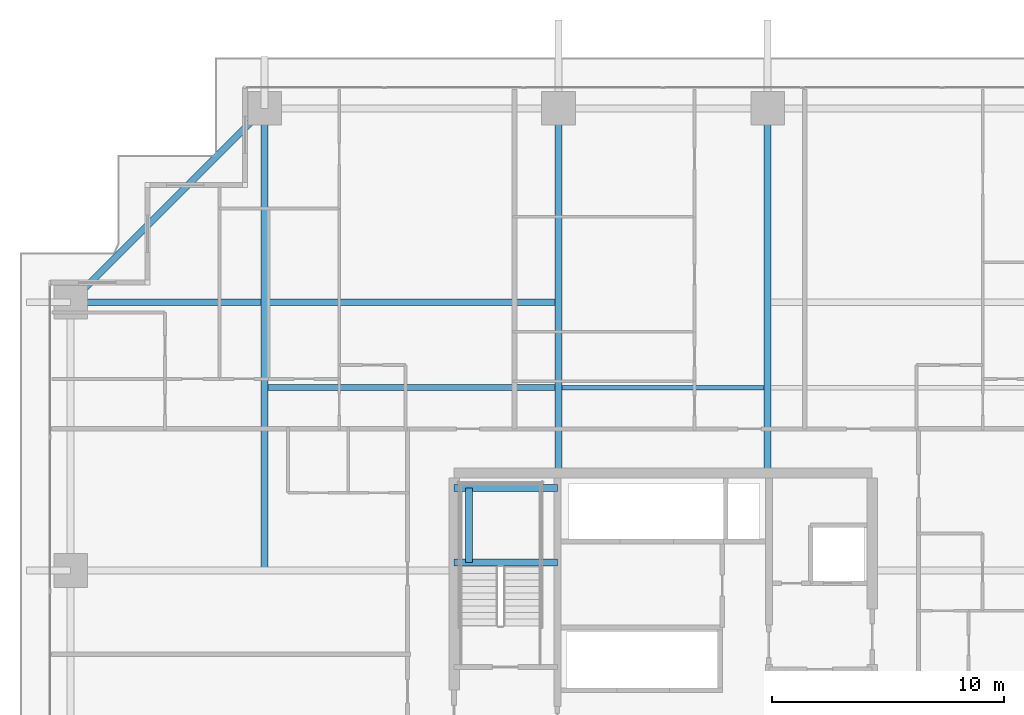
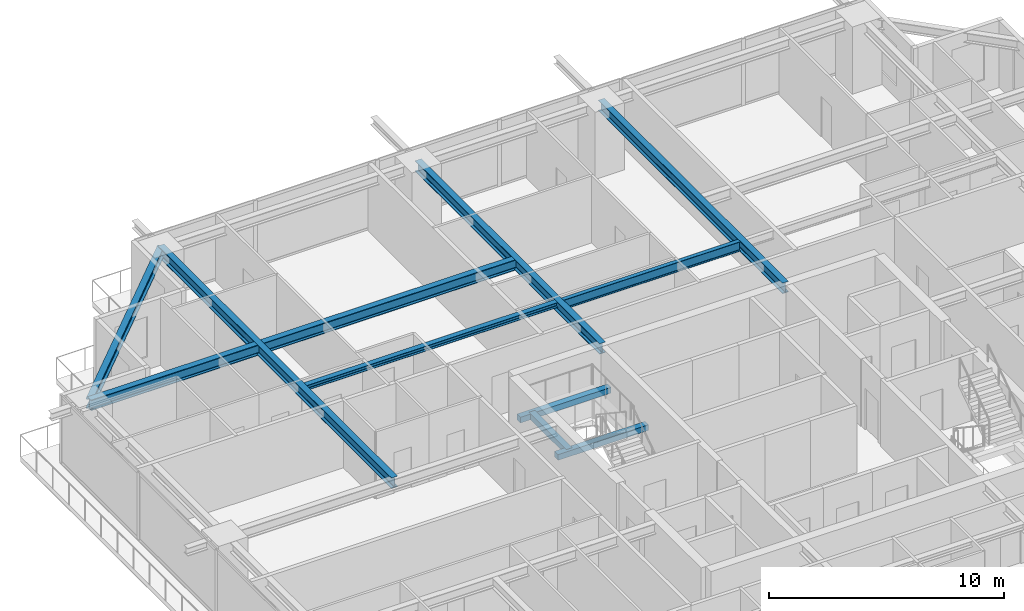
# One storey, part 19 of 39: 10 beams.
"""IFC4 building model written with IfcOpenShell, lengths in metres."""

from ifc_helpers import new_model, si_unit, direction, frame, origin, origin_2d, place, context, subcontext, project, spatial, rectangle, i_section, extrude, source, transform, mapped, material, material_profile, profile_set, type_object, element, save


model = new_model("IFC4")

# Units and contexts
model_context = context("Model", 3, precision=1e-05, world=origin(), true_north=direction((0.0, 1.0)))
body_context = subcontext(model_context, "Body", "Model", "MODEL_VIEW")
ifc_project = project(units=[si_unit("LENGTHUNIT", "METRE"), si_unit("AREAUNIT", "SQUARE_METRE"), si_unit("VOLUMEUNIT", "CUBIC_METRE"), si_unit("PLANEANGLEUNIT", "RADIAN"), si_unit("MASSUNIT", "GRAM", prefix="KILO")], contexts=[model_context])

# Site, building, storey
site_placement = place(None, origin())
site = spatial("IfcSite", under=ifc_project, at=site_placement, CompositionType="ELEMENT")
building_placement = place(site_placement, origin())
building = spatial("IfcBuilding", under=site, at=building_placement, Name="Serunith Strait Residences", CompositionType="ELEMENT")
storey_placement = place(building_placement, frame((0.0, 0.0, 49.199951171875)))
storey = spatial("IfcBuildingStorey", under=building, at=storey_placement, Name="L11", CompositionType="ELEMENT", Elevation=49.199951171875)

# Beams
ifc_material_1 = material(Name="Steel S355J2", Category="steel")
ifc_material_profile_1 = material_profile(ifc_material_1, i_section(OverallWidth=0.300048828125, OverallDepth=0.550048828125, WebThickness=0.014892578125, FlangeThickness=0.029052734375, FilletRadius=0.027099609375, at=origin_2d()), Name="HEB 550")
ifc_profile_set_1 = profile_set([ifc_material_profile_1], Name="Steel S355J2")
beam_type_1 = type_object("IfcBeamType", Name="BM-HEB550", PredefinedType="BEAM", material=ifc_profile_set_1)
shared_shape_1 = source(origin(), body_context, "Body", "SweptSolid", [
    extrude(i_section(OverallWidth=0.300048828125, OverallDepth=0.550048828125, WebThickness=0.014892578125, FlangeThickness=0.029052734375, FilletRadius=0.027099609375, at=origin_2d()), origin(), (0.0, 0.0, 1.0), 15.699951171875),
])
for number, where, z_axis, x_axis, name in (
    (1, (27.89990234375, 33.60009765625, 3.212158203125), (0.0, 1.0, 0.0), (-1.0, 0.0, 0.0), "L11 Primary Floor Girder TC-N2"),
    (2, (36.89990234375, 33.60009765625, 3.212158203125), (0.0, 1.0, 0.0), (-1.0, 0.0, 0.0), "L11 Primary Floor Girder TC-N3"),
):
    element("IfcBeam", number, at=place(storey_placement, frame(where, z_axis=z_axis, x_axis=x_axis)), inside=storey, type_object=beam_type_1, Name=name, PredefinedType="BEAM", context=body_context, shape_type="MappedRepresentation", body=[
        mapped(shared_shape_1, transform((0.0, 0.0, 0.0), scale=1.0)),
    ])
shared_shape_2 = source(origin(), body_context, "Body", "SweptSolid", [
    extrude(i_section(OverallWidth=0.300048828125, OverallDepth=0.550048828125, WebThickness=0.014892578125, FlangeThickness=0.029052734375, FilletRadius=0.027099609375, at=origin_2d()), origin(), (0.0, 0.0, 1.0), 19.900146484375),
])
beam_1_placement = place(storey_placement, frame((15.25, 29.39990234375, 3.212158203125), z_axis=(0.0, 1.0, 0.0), x_axis=(-1.0, 0.0, 0.0)))
element("IfcBeam", 3, at=beam_1_placement, inside=storey, type_object=beam_type_1, Name="L11 Orthogonal Corner Girder TC-N1", PredefinedType="BEAM", context=body_context, shape_type="MappedRepresentation", body=[
    mapped(shared_shape_2, transform((0.0, 0.0, 0.0), scale=1.0)),
])
shared_shape_3 = source(origin(), body_context, "Body", "SweptSolid", [
    extrude(i_section(OverallWidth=0.300048828125, OverallDepth=0.550048828125, WebThickness=0.014892578125, FlangeThickness=0.029052734375, FilletRadius=0.027099609375, at=origin_2d()), origin(), (0.0, 0.0, 1.0), 21.0),
])
beam_2_placement = place(storey_placement, frame((27.89990234375, 40.949951171875, 3.212158203125), z_axis=(-1.0, 0.0, 0.0), x_axis=(0.0, -1.0, 0.0)))
element("IfcBeam", 4, at=beam_2_placement, inside=storey, type_object=beam_type_1, Name="L11 Orthogonal Corner Girder TC-W4", PredefinedType="BEAM", context=body_context, shape_type="MappedRepresentation", body=[
    mapped(shared_shape_3, transform((0.0, 0.0, 0.0), scale=1.0)),
])
ifc_material_profile_2 = material_profile(ifc_material_1, i_section(OverallWidth=0.300048828125, OverallDepth=0.5, WebThickness=0.014404296875, FlangeThickness=0.028076171875, FilletRadius=0.027099609375, at=origin_2d()), Name="HEB 500")
ifc_profile_set_2 = profile_set([ifc_material_profile_2], Name="Steel S355J2")
beam_type_2 = type_object("IfcBeamType", Name="BM-HEB500", PredefinedType="BEAM", material=ifc_profile_set_2)
shared_shape_4 = source(origin(), body_context, "Body", "SweptSolid", [
    extrude(i_section(OverallWidth=0.300048828125, OverallDepth=0.5, WebThickness=0.014404296875, FlangeThickness=0.028076171875, FilletRadius=0.027099609375, at=origin_2d()), origin(), (0.0, 0.0, 1.0), 11.808837890625),
])
beam_3_placement = place(storey_placement, frame((15.25, 49.300048828125, 3.20703125), z_axis=(-0.707106781187, -0.707106781187, 0.0), x_axis=(0.707106781187, -0.707106781187, 0.0)))
element("IfcBeam", 5, at=beam_3_placement, inside=storey, type_object=beam_type_2, Name="L11 Perimeter Ring Beam 12", PredefinedType="BEAM", context=body_context, shape_type="MappedRepresentation", body=[
    mapped(shared_shape_4, transform((0.0, 0.0, 0.0), scale=1.0)),
])
ifc_material_profile_3 = material_profile(ifc_material_1, i_section(OverallWidth=0.260009765625, OverallDepth=0.260009765625, WebThickness=0.010009765625, FlangeThickness=0.017578125, FilletRadius=0.02392578125, at=origin_2d()), Name="HEB 260")
ifc_profile_set_3 = profile_set([ifc_material_profile_3], Name="Steel S355J2")
beam_type_3 = type_object("IfcBeamType", Name="BM-HEB260", PredefinedType="JOIST", material=ifc_profile_set_3)
shared_shape_5 = source(origin(), body_context, "Body", "SweptSolid", [
    extrude(i_section(OverallWidth=0.260009765625, OverallDepth=0.260009765625, WebThickness=0.010009765625, FlangeThickness=0.017578125, FilletRadius=0.02392578125, at=origin_2d()), origin(), (0.0, 0.0, 1.0), 12.35009765625),
])
beam_4_placement = place(storey_placement, frame((15.39990234375, 37.27490234375, 3.35693359375), z_axis=(1.0, 0.0, 0.0), x_axis=(0.0, 1.0, 0.0)))
element("IfcBeam", 6, at=beam_4_placement, inside=storey, type_object=beam_type_3, Name="L11 Composite Floor Joist 04", PredefinedType="JOIST", context=body_context, shape_type="MappedRepresentation", body=[
    mapped(shared_shape_5, transform((0.0, 0.0, 0.0), scale=1.0)),
])
ifc_material_profile_4 = material_profile(ifc_material_1, i_section(OverallWidth=0.199951171875, OverallDepth=0.5, WebThickness=0.01025390625, FlangeThickness=0.01611328125, FilletRadius=0.02099609375, at=origin_2d()), Name="IPE 500")
ifc_profile_set_4 = profile_set([ifc_material_profile_4], Name="Steel S355J2")
beam_type_4 = type_object("IfcBeamType", Name="BM-IPE500", PredefinedType="JOIST", material=ifc_profile_set_4)
shared_shape_6 = source(origin(), body_context, "Body", "SweptSolid", [
    extrude(i_section(OverallWidth=0.199951171875, OverallDepth=0.5, WebThickness=0.01025390625, FlangeThickness=0.01611328125, FilletRadius=0.02099609375, at=origin_2d()), origin(), (0.0, 0.0, 1.0), 8.699951171875),
])
beam_5_placement = place(storey_placement, frame((28.050048828125, 37.27490234375, 3.237060546875), z_axis=(1.0, 0.0, 0.0), x_axis=(0.0, 1.0, 0.0)))
element("IfcBeam", 7, at=beam_5_placement, inside=storey, type_object=beam_type_4, Name="L11 Composite Floor Joist 05", PredefinedType="JOIST", context=body_context, shape_type="MappedRepresentation", body=[
    mapped(shared_shape_6, transform((0.0, 0.0, 0.0), scale=1.0)),
])
ifc_material_2 = material(Name="Concrete C60/75", Category="concrete")
ifc_material_profile_5 = material_profile(ifc_material_2, rectangle(XDim=0.300048828125, YDim=0.300048828125, at=origin_2d()), Name="RC 300x300")
ifc_profile_set_5 = profile_set([ifc_material_profile_5], Name="Concrete C60/75")
beam_type_5 = type_object("IfcBeamType", Name="BM-LAND-300x300", PredefinedType="BEAM", material=ifc_profile_set_5)
shared_shape_7 = source(origin(), body_context, "Body", "SweptSolid", [
    extrude(rectangle(XDim=0.300048828125, YDim=0.300048828125, at=origin_2d()), origin(), (0.0, 0.0, 1.0), 4.4501953125),
])
for number, where, z_axis, x_axis, name in (
    (8, (23.39990234375, 29.75, 1.525146484375), (1.0, 0.0, 0.0), (0.0, 1.0, 0.0), "L11 ST-1 Landing Support Beam 1"),
    (9, (23.39990234375, 32.949951171875, 1.525146484375), (1.0, 0.0, 0.0), (0.0, 1.0, 0.0), "L11 ST-1 Landing Support Beam 2"),
):
    element("IfcBeam", number, at=place(storey_placement, frame(where, z_axis=z_axis, x_axis=x_axis)), inside=storey, type_object=beam_type_5, Name=name, PredefinedType="BEAM", context=body_context, shape_type="MappedRepresentation", body=[
        mapped(shared_shape_7, transform((0.0, 0.0, 0.0), scale=1.0)),
    ])
shared_shape_8 = source(origin(), body_context, "Body", "SweptSolid", [
    extrude(rectangle(XDim=0.300048828125, YDim=0.300048828125, at=origin_2d()), origin(), (0.0, 0.0, 1.0), 3.199951171875),
])
beam_6_placement = place(storey_placement, frame((24.050048828125, 29.75, 1.525146484375), z_axis=(0.0, 1.0, 0.0), x_axis=(-1.0, 0.0, 0.0)))
element("IfcBeam", 10, at=beam_6_placement, inside=storey, type_object=beam_type_5, Name="L11 ST-1 Landing Transverse Tie Beam", PredefinedType="BEAM", context=body_context, shape_type="MappedRepresentation", body=[
    mapped(shared_shape_8, transform((0.0, 0.0, 0.0), scale=1.0)),
])

save(model, "model.ifc")
